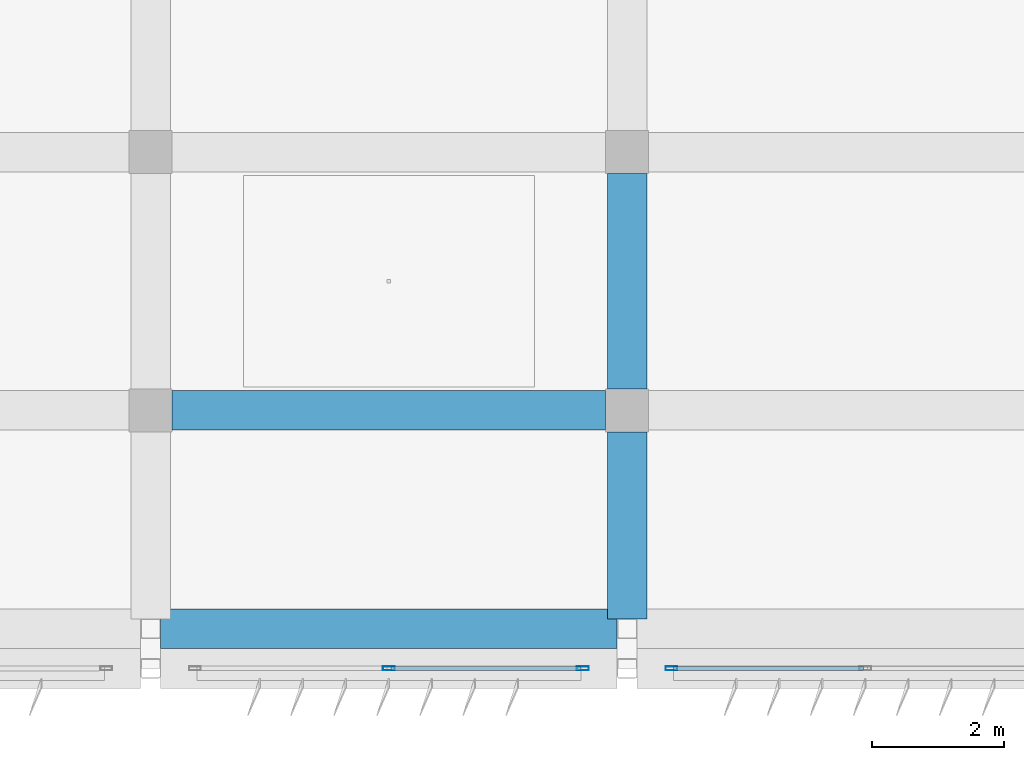
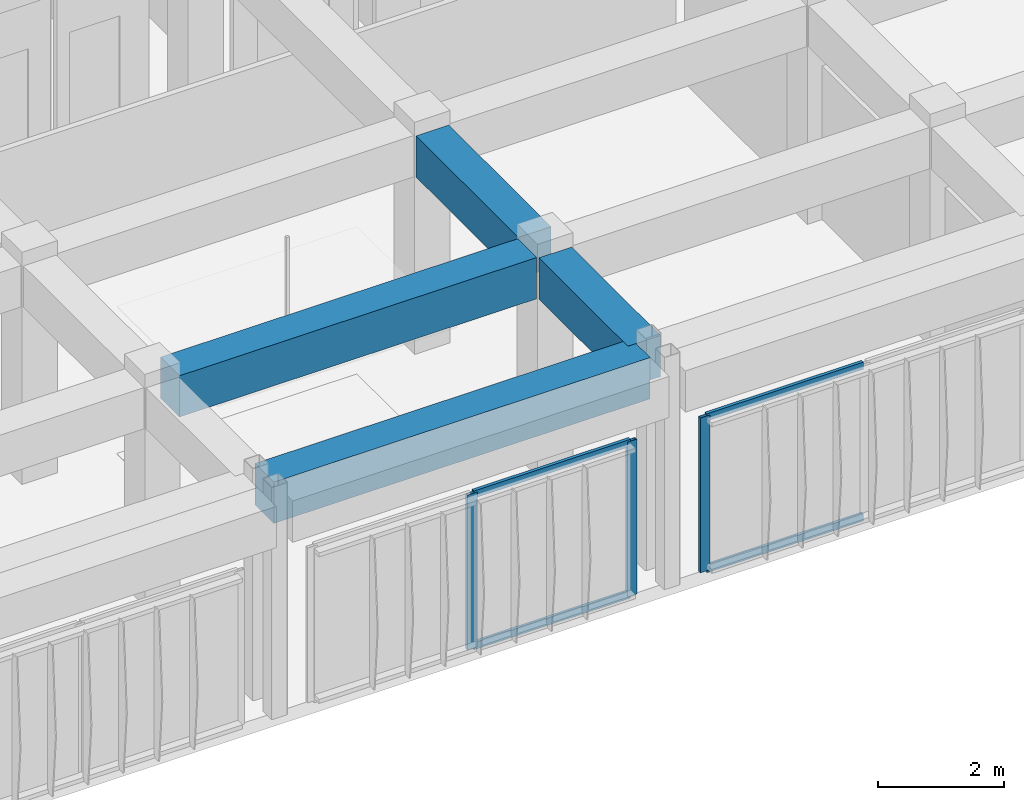
# One storey, part 18 of 56: 7 members, 4 beams, 2 elements without a shape of their own.
"""IFC4 building model written with IfcOpenShell, lengths in metres."""

from ifc_helpers import new_model, si_unit, direction, frame, origin, origin_2d, place, context, subcontext, project, spatial, rectangle, hollow_rectangle, extrude, material, material_profile, profile_set, type_object, element, aggregate, save


model = new_model("IFC4")

# Units and contexts
model_context = context("Model", 3, precision=1e-05, world=origin(), true_north=direction((0.0, 1.0)))
body_context = subcontext(model_context, "Body", "Model", "MODEL_VIEW")
ifc_project = project(units=[si_unit("LENGTHUNIT", "METRE"), si_unit("AREAUNIT", "SQUARE_METRE"), si_unit("VOLUMEUNIT", "CUBIC_METRE"), si_unit("PLANEANGLEUNIT", "RADIAN"), si_unit("MASSUNIT", "GRAM", prefix="KILO")], contexts=[model_context])

# Site, building, storey
site_placement = place(None, origin())
site = spatial("IfcSite", under=ifc_project, at=site_placement, CompositionType="ELEMENT")
building_placement = place(site_placement, origin())
building = spatial("IfcBuilding", under=site, at=building_placement, Name="Kazehaya Institute of Natural Sciences", CompositionType="ELEMENT")
storey_placement = place(building_placement, frame((0.0, 0.0, 28.800048828125)))
storey = spatial("IfcBuildingStorey", under=building, at=storey_placement, Name="L06", CompositionType="ELEMENT", Elevation=28.800048828125)

# Beams
ifc_material_1 = material(Name="Concrete Fc36", Category="concrete")
ifc_material_profile_1 = material_profile(ifc_material_1, rectangle(XDim=0.60009765625, YDim=0.800048828125, at=origin_2d()), Name="RC-600x800")
ifc_profile_set_1 = profile_set([ifc_material_profile_1], Name="Concrete Fc36")
beam_type = type_object("IfcBeamType", Name="BM-G-600x800", PredefinedType="BEAM", material=ifc_profile_set_1)
beam_1_placement = place(storey_placement, frame((83.550048828125, 6.800048828125, 3.829833984375), z_axis=(1.0, 0.0, 0.0), x_axis=(0.0, 1.0, 0.0)))
element("IfcBeam", 1, at=beam_1_placement, inside=storey, type_object=beam_type, Name="L06 primary X girder BMX-L06-834-68", PredefinedType="BEAM", context=body_context, shape_type="SweptSolid", body=[
    extrude(rectangle(XDim=0.60009765625, YDim=0.800048828125, at=origin_2d()), origin(), (0.0, 0.0, 1.0), 6.89990234375),
])
beam_2_placement = place(storey_placement, frame((83.72509765625, 10.10009765625, 3.829833984375), z_axis=(1.0, 0.0, 0.0), x_axis=(0.0, 1.0, 0.0)))
element("IfcBeam", 2, at=beam_2_placement, inside=storey, type_object=beam_type, Name="L06 primary X girder BMX-L06-834-101", PredefinedType="BEAM", context=body_context, shape_type="SweptSolid", body=[
    extrude(rectangle(XDim=0.60009765625, YDim=0.800048828125, at=origin_2d()), origin(), (0.0, 0.0, 1.0), 6.5498046875),
])
beam_3_placement = place(storey_placement, frame((90.60009765625, 6.949951171875, 3.829833984375), z_axis=(0.0, 1.0, 0.0), x_axis=(-1.0, 0.0, 0.0)))
element("IfcBeam", 3, at=beam_3_placement, inside=storey, type_object=beam_type, Name="L06 primary Y girder BMY-L06-906-68", PredefinedType="BEAM", context=body_context, shape_type="SweptSolid", body=[
    extrude(rectangle(XDim=0.60009765625, YDim=0.800048828125, at=origin_2d()), origin(), (0.0, 0.0, 1.0), 2.824951171875),
])
beam_4_placement = place(storey_placement, frame((90.60009765625, 10.425048828125, 3.829833984375), z_axis=(0.0, 1.0, 0.0), x_axis=(-1.0, 0.0, 0.0)))
element("IfcBeam", 4, at=beam_4_placement, inside=storey, type_object=beam_type, Name="L06 primary Y girder BMY-L06-906-101", PredefinedType="BEAM", context=body_context, shape_type="SweptSolid", body=[
    extrude(rectangle(XDim=0.60009765625, YDim=0.800048828125, at=origin_2d()), origin(), (0.0, 0.0, 1.0), 3.25),
])

# Curtain wall, member
ifc_material_2 = material(Name="Aluminium alloy A6063S-T5", Category="aluminium")
curtain_wall_type = type_object("IfcCurtainWallType", Name="CW-SYS-04", PredefinedType="NOTDEFINED", material=ifc_material_2)
curtain_wall_1_placement = place(storey_placement, origin())
curtain_wall_1 = element("IfcCurtainWall", 5, at=curtain_wall_1_placement, inside=storey, type_object=curtain_wall_type, Name="L06 unitised curtain wall CW-L06-123", PredefinedType="NOTDEFINED")
ifc_material_profile_2 = material_profile(ifc_material_2, hollow_rectangle(XDim=0.06005859375, YDim=0.179931640625, WallThickness=0.00390625, at=origin_2d()), Name="ALU-60x180x4")
ifc_profile_set_2 = profile_set([ifc_material_profile_2], Name="Aluminium alloy A6063S-T5")
member_type_1 = type_object("IfcMemberType", Name="CWM-180", PredefinedType="MULLION", material=ifc_profile_set_2)
member_1_placement = place(storey_placement, frame((91.27001953125, 6.199951171875, 0.0), z_axis=(0.0, 0.0, 1.0), x_axis=(0.0, -1.0, 0.0)))
member_1 = element("IfcMember", 6, at=member_1_placement, type_object=member_type_1, Name="CW04 mullion 3", PredefinedType="MULLION", context=body_context, shape_type="SweptSolid", body=[
    extrude(hollow_rectangle(XDim=0.06005859375, YDim=0.179931640625, WallThickness=0.00390625, at=origin_2d()), origin(), (0.0, 0.0, 1.0), 3.0),
])

# Curtain wall, members
curtain_wall_2_placement = place(storey_placement, origin())
curtain_wall_2 = element("IfcCurtainWall", 7, at=curtain_wall_2_placement, inside=storey, type_object=curtain_wall_type, Name="L06 unitised curtain wall CW-L06-124", PredefinedType="NOTDEFINED")
member_2_placement = place(storey_placement, frame((89.929931640625, 6.199951171875, 0.0), z_axis=(0.0, 0.0, 1.0), x_axis=(0.0, -1.0, 0.0)))
member_2 = element("IfcMember", 8, at=member_2_placement, type_object=member_type_1, Name="CW04 mullion 1", PredefinedType="MULLION", context=body_context, shape_type="SweptSolid", body=[
    extrude(hollow_rectangle(XDim=0.06005859375, YDim=0.179931640625, WallThickness=0.00390625, at=origin_2d()), origin(), (0.0, 0.0, 1.0), 3.0),
])
member_3_placement = place(storey_placement, frame((87.0, 6.199951171875, 0.0), z_axis=(0.0, 0.0, 1.0), x_axis=(0.0, -1.0, 0.0)))
member_3 = element("IfcMember", 9, at=member_3_placement, type_object=member_type_1, Name="CW04 mullion 2", PredefinedType="MULLION", context=body_context, shape_type="SweptSolid", body=[
    extrude(hollow_rectangle(XDim=0.06005859375, YDim=0.179931640625, WallThickness=0.00390625, at=origin_2d()), origin(), (0.0, 0.0, 1.0), 3.0),
])

# Member
ifc_material_profile_3 = material_profile(ifc_material_2, hollow_rectangle(XDim=0.06005859375, YDim=0.139892578125, WallThickness=0.00341796875, at=origin_2d()), Name="ALU-60x140x3.5")
ifc_profile_set_3 = profile_set([ifc_material_profile_3], Name="Aluminium alloy A6063S-T5")
member_type_2 = type_object("IfcMemberType", Name="CWT-140", PredefinedType="USERDEFINED", material=ifc_profile_set_3)
member_4_placement = place(storey_placement, frame((94.169921875, 6.199951171875, 0.030029296875), z_axis=(-1.0, 0.0, 0.0), x_axis=(0.0, -1.0, 0.0)))
member_4 = element("IfcMember", 10, at=member_4_placement, type_object=member_type_2, Name="CW04 transom 2.1", ObjectType="TRANSOM", PredefinedType="USERDEFINED", context=body_context, shape_type="SweptSolid", body=[
    extrude(hollow_rectangle(XDim=0.06005859375, YDim=0.139892578125, WallThickness=0.00341796875, at=origin_2d()), origin(), (0.0, 0.0, 1.0), 2.869873046875),
])

member_5_placement = place(storey_placement, frame((94.169921875, 6.199951171875, 2.969970703125), z_axis=(-1.0, 0.0, 0.0), x_axis=(0.0, -1.0, 0.0)))
member_5 = element("IfcMember", 11, at=member_5_placement, type_object=member_type_2, Name="CW04 transom 2.2", ObjectType="TRANSOM", PredefinedType="USERDEFINED", context=body_context, shape_type="SweptSolid", body=[
    extrude(hollow_rectangle(XDim=0.06005859375, YDim=0.139892578125, WallThickness=0.00341796875, at=origin_2d()), origin(), (0.0, 0.0, 1.0), 2.869873046875),
])

aggregate(curtain_wall_1, [member_1, member_4, member_5])

member_6_placement = place(storey_placement, frame((89.89990234375, 6.199951171875, 0.030029296875), z_axis=(-1.0, 0.0, 0.0), x_axis=(0.0, -1.0, 0.0)))
member_6 = element("IfcMember", 12, at=member_6_placement, type_object=member_type_2, Name="CW04 transom 1.1", ObjectType="TRANSOM", PredefinedType="USERDEFINED", context=body_context, shape_type="SweptSolid", body=[
    extrude(hollow_rectangle(XDim=0.06005859375, YDim=0.139892578125, WallThickness=0.00341796875, at=origin_2d()), origin(), (0.0, 0.0, 1.0), 2.869873046875),
])

member_7_placement = place(storey_placement, frame((89.89990234375, 6.199951171875, 2.969970703125), z_axis=(-1.0, 0.0, 0.0), x_axis=(0.0, -1.0, 0.0)))
member_7 = element("IfcMember", 13, at=member_7_placement, type_object=member_type_2, Name="CW04 transom 1.2", ObjectType="TRANSOM", PredefinedType="USERDEFINED", context=body_context, shape_type="SweptSolid", body=[
    extrude(hollow_rectangle(XDim=0.06005859375, YDim=0.139892578125, WallThickness=0.00341796875, at=origin_2d()), origin(), (0.0, 0.0, 1.0), 2.869873046875),
])

aggregate(curtain_wall_2, [member_2, member_3, member_6, member_7])

save(model, "model.ifc")
